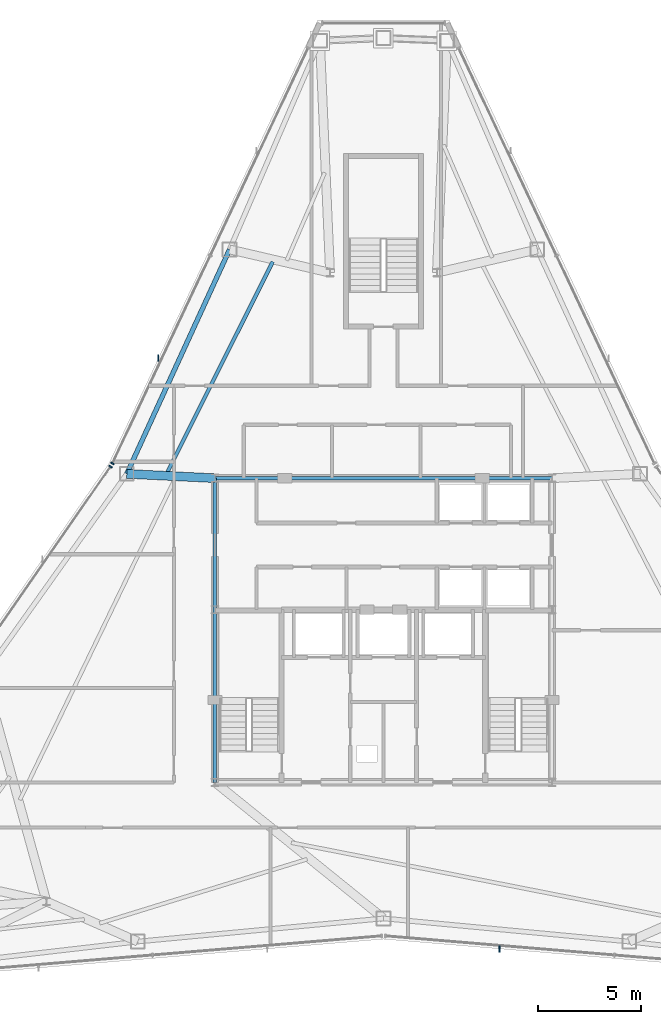
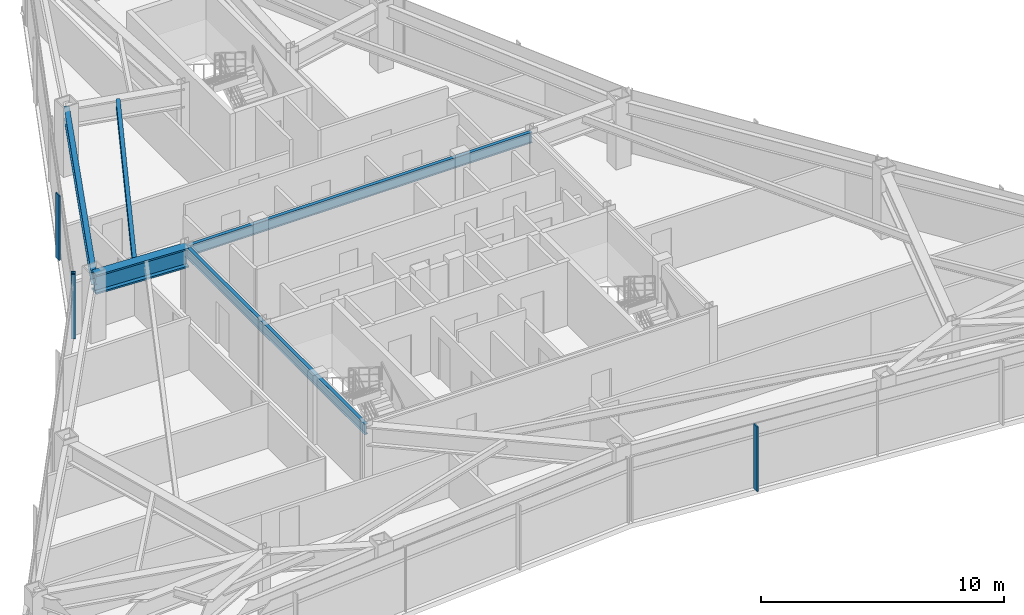
# One storey, part 5 of 12: 5 beams, 4 members, 3 elements without a shape of their own.
"""IFC4 building model written with IfcOpenShell, lengths in metres."""

from ifc_helpers import new_model, si_unit, direction, frame, origin, origin_2d, place, context, subcontext, project, spatial, rectangle, i_section, extrude, source, transform, mapped, material, layer, layer_set, material_profile, profile_set, type_object, type_shapes, element, aggregate, save


model = new_model("IFC4")

# Units and contexts
model_context = context("Model", 3, precision=1e-05, world=origin(), true_north=direction((0.0, 1.0)))
body_context = subcontext(model_context, "Body", "Model", "MODEL_VIEW")
ifc_project = project(units=[si_unit("LENGTHUNIT", "METRE"), si_unit("AREAUNIT", "SQUARE_METRE"), si_unit("VOLUMEUNIT", "CUBIC_METRE"), si_unit("PLANEANGLEUNIT", "RADIAN"), si_unit("MASSUNIT", "GRAM", prefix="KILO")], contexts=[model_context])

# Site, building, storey
site_placement = place(None, origin())
site = spatial("IfcSite", under=ifc_project, at=site_placement, CompositionType="ELEMENT")
building_placement = place(site_placement, origin())
building = spatial("IfcBuilding", under=site, at=building_placement, Name="Varakhsha Concourse Tower", CompositionType="ELEMENT")
storey_placement = place(building_placement, frame((0.0, 0.0, 232.89990234375)))
storey = spatial("IfcBuildingStorey", under=building, at=storey_placement, Name="L66", CompositionType="ELEMENT", Elevation=232.89990234375)

# Beams
ifc_material_1 = material(Name="Structural Steel ASTM A992 Grade 50", Category="steel")
ifc_material_profile_1 = material_profile(ifc_material_1, i_section(OverallWidth=0.177978515625, OverallDepth=0.406982421875, WebThickness=0.008056640625, FlangeThickness=0.012939453125, at=origin_2d()), Name="W16X40")
ifc_profile_set_1 = profile_set([ifc_material_profile_1], Name="Structural Steel ASTM A992 Grade 50")
beam_type_1 = type_object("IfcBeamType", Name="BM-JST-W16X40", PredefinedType="JOIST", material=ifc_profile_set_1)
beam_1_placement = place(storey_placement, frame((34.614013671875, 41.735595703125, 3.046630859375), z_axis=(-0.447729709123, -0.894168948001, 0.0), x_axis=(0.894168948001, -0.447729709123, 0.0)))
element("IfcBeam", 1, at=beam_1_placement, inside=storey, type_object=beam_type_1, Name="BM-TJST-L66-04", PredefinedType="JOIST", context=body_context, shape_type="SweptSolid", body=[
    extrude(i_section(OverallWidth=0.177978515625, OverallDepth=0.406982421875, WebThickness=0.008056640625, FlangeThickness=0.012939453125, at=origin_2d()), origin(), (0.0, 0.0, 1.0), 11.54052734375),
])
ifc_material_profile_2 = material_profile(ifc_material_1, i_section(OverallWidth=0.1669921875, OverallDepth=0.534912109375, WebThickness=0.010009765625, FlangeThickness=0.01708984375, at=origin_2d()), Name="W21X57")
ifc_profile_set_2 = profile_set([ifc_material_profile_2], Name="Structural Steel ASTM A992 Grade 50")
beam_type_2 = type_object("IfcBeamType", Name="BM-RAD-W21X57", PredefinedType="BEAM", material=ifc_profile_set_2)
beam_2_placement = place(storey_placement, frame((31.800048828125, 31.199951171875, 2.982666015625), z_axis=(1.0, 0.0, 0.0), x_axis=(0.0, 1.0, 0.0)))
element("IfcBeam", 2, at=beam_2_placement, inside=storey, type_object=beam_type_2, Name="BM-TCORE-L66-CN", PredefinedType="BEAM", context=body_context, shape_type="SweptSolid", body=[
    extrude(i_section(OverallWidth=0.1669921875, OverallDepth=0.534912109375, WebThickness=0.010009765625, FlangeThickness=0.01708984375, at=origin_2d()), origin(), (0.0, 0.0, 1.0), 16.39990234375),
])
beam_3_placement = place(storey_placement, frame((31.800048828125, 16.39990234375, 2.982666015625), z_axis=(0.0, 1.0, 0.0), x_axis=(-1.0, 0.0, 0.0)))
element("IfcBeam", 3, at=beam_3_placement, inside=storey, type_object=beam_type_2, Name="BM-TCORE-L66-CW", PredefinedType="BEAM", context=body_context, shape_type="SweptSolid", body=[
    extrude(i_section(OverallWidth=0.1669921875, OverallDepth=0.534912109375, WebThickness=0.010009765625, FlangeThickness=0.01708984375, at=origin_2d()), origin(), (0.0, 0.0, 1.0), 14.800048828125),
])
ifc_material_profile_3 = material_profile(ifc_material_1, i_section(OverallWidth=0.22900390625, OverallDepth=0.612060546875, WebThickness=0.011962890625, FlangeThickness=0.02001953125, at=origin_2d()), Name="W24X84")
ifc_profile_set_3 = profile_set([ifc_material_profile_3], Name="Structural Steel ASTM A992 Grade 50")
beam_type_3 = type_object("IfcBeamType", Name="BM-SPAN-W24X84", PredefinedType="SPANDREL", material=ifc_profile_set_3)
beam_4_placement = place(storey_placement, frame((32.512939453125, 42.332275390625, 2.944091796875), z_axis=(-0.416476249185, -0.909146596466, 0.0), x_axis=(0.909146596466, -0.416476249185, 0.0)))
element("IfcBeam", 4, at=beam_4_placement, inside=storey, type_object=beam_type_3, Name="BM-SPAN-L66-04", PredefinedType="SPANDREL", context=body_context, shape_type="SweptSolid", body=[
    extrude(i_section(OverallWidth=0.22900390625, OverallDepth=0.612060546875, WebThickness=0.011962890625, FlangeThickness=0.02001953125, at=origin_2d()), origin(), (0.0, 0.0, 1.0), 12.012451171875),
])
ifc_material_profile_4 = material_profile(ifc_material_1, i_section(OverallWidth=0.427978515625, OverallDepth=0.97509765625, WebThickness=0.050048828125, FlangeThickness=0.0810546875, at=origin_2d()), Name="W36X395")
ifc_profile_set_4 = profile_set([ifc_material_profile_4], Name="Structural Steel ASTM A992 Grade 50")
beam_type_4 = type_object("IfcBeamType", Name="BM-XFER-W36X395", PredefinedType="USERDEFINED", material=ifc_profile_set_4)
beam_5_placement = place(storey_placement, frame((31.800048828125, 31.199951171875, 2.7626953125), z_axis=(-0.998790595953, 0.049166507256, 0.0), x_axis=(-0.049166507256, -0.998790595953, 0.0)))
element("IfcBeam", 5, at=beam_5_placement, inside=storey, type_object=beam_type_4, Name="L66 Radial Floor Girder 05", ObjectType="GIRDER", PredefinedType="USERDEFINED", context=body_context, shape_type="SweptSolid", body=[
    extrude(i_section(OverallWidth=0.427978515625, OverallDepth=0.97509765625, WebThickness=0.050048828125, FlangeThickness=0.0810546875, at=origin_2d()), origin(), (0.0, 0.0, 1.0), 4.295166015625),
])

# Curtain wall, member
ifc_material_2 = material(Name="Anodised Bronze Architectural Aluminium AA 6063-T6", Category="aluminium")
ifc_layer = layer(ifc_material_2, 0.199951171875, Name="CW-SYS-05")
ifc_layer_set = layer_set([ifc_layer], Name="Anodised Bronze Architectural Aluminium AA 6063-T6")
curtain_wall_type = type_object("IfcCurtainWallType", Name="CW-SYS-05", PredefinedType="NOTDEFINED", material=ifc_layer_set)
curtain_wall_1_placement = place(storey_placement, origin())
curtain_wall_1 = element("IfcCurtainWall", 6, at=curtain_wall_1_placement, inside=storey, type_object=curtain_wall_type, Name="L66 Crystal Curtain Wall F2", PredefinedType="NOTDEFINED")
ifc_material_profile_5 = material_profile(ifc_material_2, rectangle(XDim=0.06494140625, YDim=0.179931640625, at=origin_2d()), Name="CWM-180X65")
ifc_profile_set_5 = profile_set([ifc_material_profile_5], Name="Anodised Bronze Architectural Aluminium AA 6063-T6")
member_type_1 = type_object("IfcMemberType", Name="CWM-180X65", PredefinedType="MULLION", material=ifc_profile_set_5)
shared_shape_1 = source(origin(), body_context, "Body", "SweptSolid", [
    extrude(rectangle(XDim=0.06494140625, YDim=0.179931640625, at=origin_2d()), origin(), (0.0, 0.0, 1.0), 3.25),
])
type_shapes(member_type_1, [shared_shape_1])
member_1_placement = place(storey_placement, frame((26.8125, 31.92138671875, 0.0), z_axis=(0.0, 0.0, 1.0), x_axis=(0.426172477405, 0.904641928888, 0.0)))
member_1 = element("IfcMember", 7, at=member_1_placement, type_object=member_type_1, Name="CW-L66-F2 Mullion 00", PredefinedType="MULLION", context=body_context, shape_type="MappedRepresentation", body=[
    mapped(shared_shape_1, transform((0.0, 0.0, 0.0), scale=1.0)),
])

curtain_wall_2_placement = place(storey_placement, origin())
curtain_wall_2 = element("IfcCurtainWall", 8, at=curtain_wall_2_placement, inside=storey, type_object=curtain_wall_type, Name="L66 Crystal Curtain Wall F3", PredefinedType="NOTDEFINED")
member_2_placement = place(storey_placement, frame((26.719482421875, 31.760009765625, 0.0), z_axis=(0.0, 0.0, 1.0), x_axis=(0.570360953861, 0.821394169879, 0.0)))
member_2 = element("IfcMember", 9, at=member_2_placement, type_object=member_type_1, Name="CW-L66-F3 Mullion 02", PredefinedType="MULLION", context=body_context, shape_type="MappedRepresentation", body=[
    mapped(shared_shape_1, transform((0.0, 0.0, 0.0), scale=1.0)),
])
aggregate(curtain_wall_2, [member_2])

# Member
ifc_material_profile_6 = material_profile(ifc_material_2, rectangle(XDim=0.054931640625, YDim=0.300048828125, at=origin_2d()), Name="FIN-BRZ-300")
ifc_profile_set_6 = profile_set([ifc_material_profile_6], Name="Anodised Bronze Architectural Aluminium AA 6063-T6")
member_type_2 = type_object("IfcMemberType", Name="FIN-BRZ-300", PredefinedType="USERDEFINED", material=ifc_profile_set_6)
shared_shape_2 = source(origin(), body_context, "Body", "SweptSolid", [
    extrude(rectangle(XDim=0.054931640625, YDim=0.300048828125, at=origin_2d()), origin(), (0.0, 0.0, 1.0), 3.25),
])
type_shapes(member_type_2, [shared_shape_2])
member_3_placement = place(storey_placement, frame((29.044921875, 37.04736328125, 0.0), z_axis=(0.0, 0.0, 1.0), x_axis=(1.0, 0.0, 0.0)))
member_3 = element("IfcMember", 10, at=member_3_placement, type_object=member_type_2, Name="L66 Anodised Bronze Solar Fin F2-1", ObjectType="SOLAR FIN", PredefinedType="USERDEFINED", context=body_context, shape_type="MappedRepresentation", body=[
    mapped(shared_shape_2, transform((0.0, 0.0, 0.0), scale=1.0)),
])

aggregate(curtain_wall_1, [member_1, member_3])

# Curtain wall, member
curtain_wall_3_placement = place(storey_placement, origin())
curtain_wall_3 = element("IfcCurtainWall", 11, at=curtain_wall_3_placement, inside=storey, type_object=curtain_wall_type, Name="L66 Crystal Curtain Wall F6", PredefinedType="NOTDEFINED")
member_4_placement = place(storey_placement, frame((45.648681640625, 8.2890625, 0.0), z_axis=(0.0, 0.0, 1.0), x_axis=(1.0, 0.0, 0.0)))
member_4 = element("IfcMember", 12, at=member_4_placement, type_object=member_type_2, Name="L66 Anodised Bronze Solar Fin F6-2", ObjectType="SOLAR FIN", PredefinedType="USERDEFINED", context=body_context, shape_type="MappedRepresentation", body=[
    mapped(shared_shape_2, transform((0.0, 0.0, 0.0), scale=1.0)),
])
aggregate(curtain_wall_3, [member_4])

save(model, "model.ifc")
